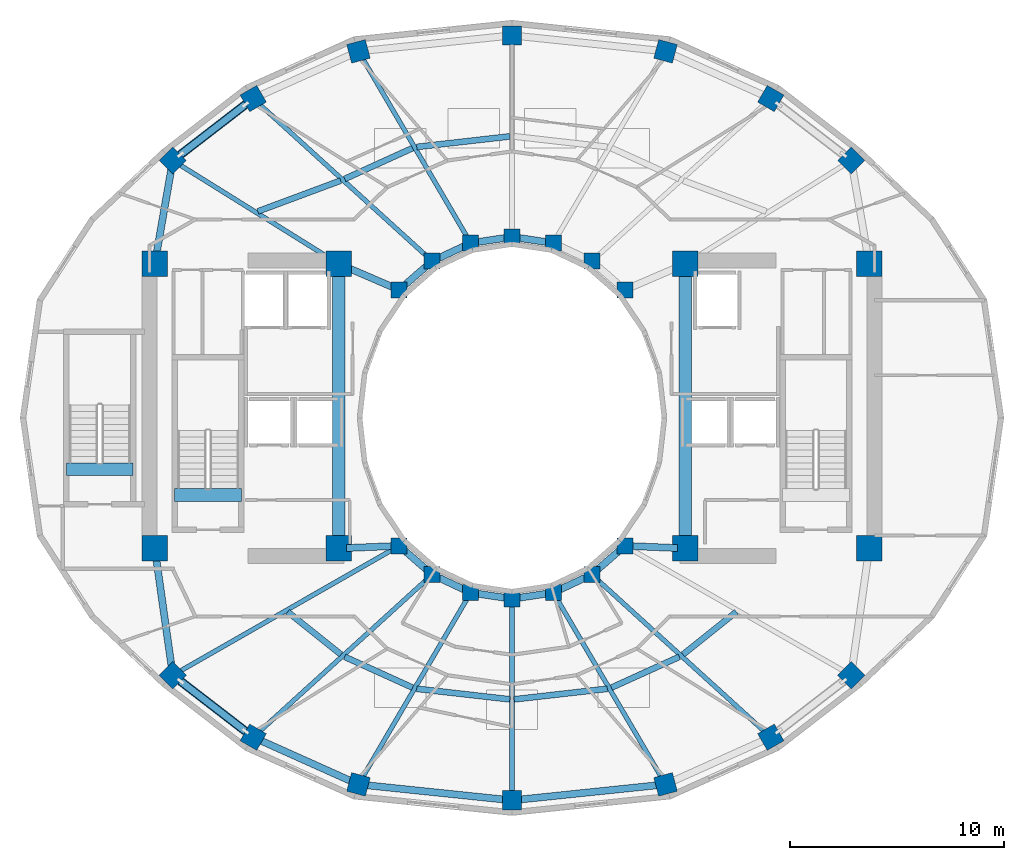
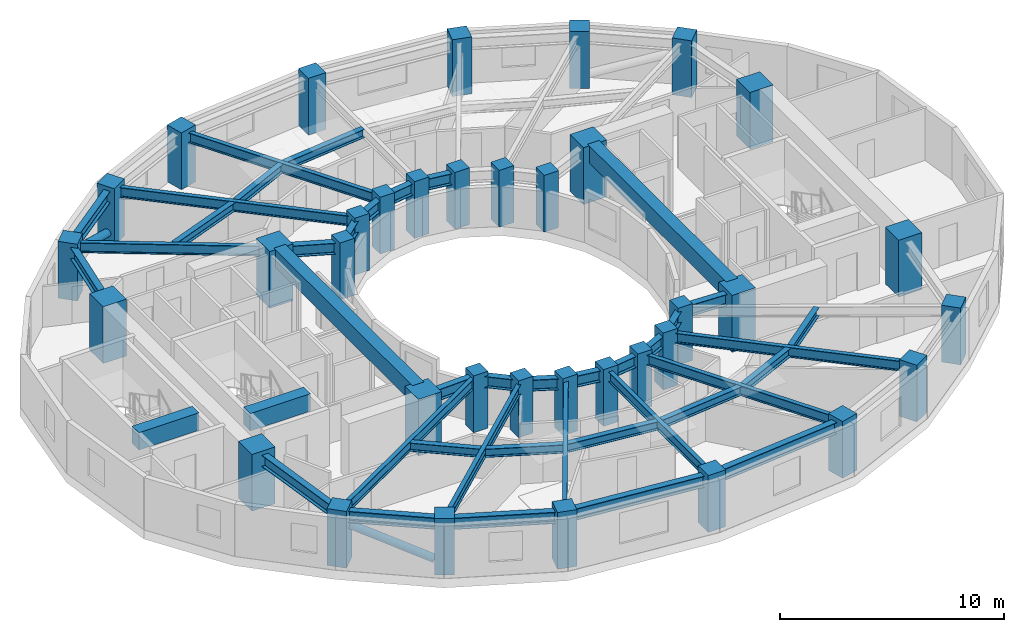
# One storey, part 1 of 9: 42 beams, 36 columns, 2 members.
"""IFC4 building model written with IfcOpenShell, lengths in metres."""

import ifcopenshell
import ifcopenshell.guid

model = None  # the IFC model being written
_history = None  # IfcOwnerHistory: only IFC2X3 demands one
_inside = {}  # id of a spatial element -> (the spatial element, [elements in it])
_under = {}  # id of a project, library or spatial element -> (it, [spatial elements below it])
_declared = {}  # id of a project -> (the project, [libraries it declares])
_typed = {}  # id of a type object -> (the type object, [elements of that type])
_made_of = {}  # id of a material, layer set ... -> (it, [elements and type objects made of it])


def new_model(schema):
    """Start an empty IFC model of exactly this schema.

    Asked for "IFC4X3", IfcOpenShell would pick the latest addendum, in which some entities
    have other attributes; the version numbers below select the first issue.
    IFC2X3 requires an IfcOwnerHistory on every rooted entity: one is made here for all.
    """
    global model, _history
    if schema == "IFC4X3":
        model = ifcopenshell.file(schema_version=(4, 3, 0, 0))
    else:
        model = ifcopenshell.file(schema=schema)
    _inside.clear()
    _under.clear()
    _declared.clear()
    _typed.clear()
    _made_of.clear()
    _history = None
    if model.schema == "IFC2X3":
        org = make("IfcOrganization", Name="unknown")
        user = make(
            "IfcPersonAndOrganization",
            ThePerson=make("IfcPerson", FamilyName="unknown"),
            TheOrganization=org,
        )
        app = make(
            "IfcApplication",
            ApplicationDeveloper=org,
            Version="unknown",
            ApplicationFullName="unknown",
            ApplicationIdentifier="unknown",
        )
        _history = make(
            "IfcOwnerHistory",
            OwningUser=user,
            OwningApplication=app,
            ChangeAction="ADDED",
            CreationDate=0,
        )
    return model


def make(cls, **values):
    """One entity of the class cls with the attributes given. An attribute that is None is left unset."""
    return model.create_entity(
        cls, **{name: value for name, value in values.items() if value is not None}
    )


def rooted(cls, **values):
    """An entity with a GlobalId (a new one), such as an element, a storey or a relation."""
    return make(cls, GlobalId=ifcopenshell.guid.new(), OwnerHistory=_history, **values)


def si_unit(unit_type, name, prefix=None):
    """IfcSIUnit, for example si_unit("LENGTHUNIT", "METRE", prefix="MILLI")."""
    return make("IfcSIUnit", UnitType=unit_type, Prefix=prefix, Name=name)


def assignment(units):
    """IfcUnitAssignment: the units of a project."""
    return None if units is None else make("IfcUnitAssignment", Units=units)


def point(xyz):
    """IfcCartesianPoint."""
    return None if xyz is None else make("IfcCartesianPoint", Coordinates=xyz)


def direction(xyz):
    """IfcDirection."""
    return None if xyz is None else make("IfcDirection", DirectionRatios=xyz)


def frame(location, z_axis=None, x_axis=None):
    """IfcAxis2Placement3D, a coordinate frame: its origin and axes. An axis left out is left unset."""
    return make(
        "IfcAxis2Placement3D",
        Location=point(location),
        Axis=direction(z_axis),
        RefDirection=direction(x_axis),
    )


def frame_2d(location, x_axis=None):
    """IfcAxis2Placement2D, a coordinate frame in the plane: its origin and x axis."""
    return make(
        "IfcAxis2Placement2D", Location=point(location), RefDirection=direction(x_axis)
    )


def origin():
    """The frame at (0, 0, 0) with its axes left unset."""
    return frame((0.0, 0.0, 0.0))


def origin_2d():
    """The frame at (0, 0) in the plane with its x axis left unset."""
    return frame_2d((0.0, 0.0))


def place(relative_to, where):
    """IfcLocalPlacement: puts the frame where relative to a parent placement (None: the world)."""
    return make(
        "IfcLocalPlacement", PlacementRelTo=relative_to, RelativePlacement=where
    )


def context(
    kind, dimensions, precision=None, world=None, true_north=None, identifier=None
):
    """IfcGeometricRepresentationContext, for example the 3D "Model" context."""
    return make(
        "IfcGeometricRepresentationContext",
        ContextIdentifier=identifier,
        ContextType=kind,
        CoordinateSpaceDimension=dimensions,
        Precision=precision,
        WorldCoordinateSystem=world,
        TrueNorth=true_north,
    )


def subcontext(parent, identifier, kind, view, scale=None):
    """IfcGeometricRepresentationSubContext, for example "Body" below "Model"."""
    return make(
        "IfcGeometricRepresentationSubContext",
        ContextIdentifier=identifier,
        ContextType=kind,
        ParentContext=parent,
        TargetScale=scale,
        TargetView=view,
    )


def project(units=None, contexts=None):
    """IfcProject with its units and contexts."""
    return rooted(
        "IfcProject",
        Name="project",
        RepresentationContexts=contexts,
        UnitsInContext=assignment(units),
    )


def spatial(cls, under=None, at=None, **own):
    """A site, building, storey or space (cls), placed at a placement, below another one or the project."""
    s = rooted(cls, ObjectPlacement=at, **own)
    if under is not None:
        _under.setdefault(under.id(), (under, []))[1].append(s)
    return s


def profile(cls, at=None, kind="AREA", **sizes):
    """A parametric profile (cls). Its sizes go by their IFC names, for example OverallWidth=200.0."""
    return make(cls, ProfileType=kind, Position=at, **sizes)


def rectangle(**sizes):
    """IfcRectangleProfileDef."""
    return profile("IfcRectangleProfileDef", **sizes)


def hollow_circle(**sizes):
    """IfcCircleHollowProfileDef."""
    return profile("IfcCircleHollowProfileDef", **sizes)


def i_section(**sizes):
    """IfcIShapeProfileDef."""
    return profile("IfcIShapeProfileDef", **sizes)


def extrude(swept, where, along, depth):
    """IfcExtrudedAreaSolid: the profile swept, set in the frame where, extruded along a direction by depth."""
    return make(
        "IfcExtrudedAreaSolid",
        SweptArea=swept,
        Position=where,
        ExtrudedDirection=direction(along),
        Depth=depth,
    )


def shape(context_of_items, identifier, shape_type, items):
    """IfcShapeRepresentation: the items that make up one representation, for example the "Body"."""
    return make(
        "IfcShapeRepresentation",
        ContextOfItems=context_of_items,
        RepresentationIdentifier=identifier,
        RepresentationType=shape_type,
        Items=items,
    )


def material(Name=None, Category=None):
    """IfcMaterial."""
    return make("IfcMaterial", Name=Name, Category=Category)


def material_profile(
    of_material, cross_section, Name=None, Category=None, Priority=None
):
    """IfcMaterialProfile: a cross section and its material."""
    return make(
        "IfcMaterialProfile",
        Name=Name,
        Material=of_material,
        Profile=cross_section,
        Priority=Priority,
        Category=Category,
    )


def profile_set(profiles, Name=None, composite=None):
    """IfcMaterialProfileSet."""
    return make(
        "IfcMaterialProfileSet",
        Name=Name,
        MaterialProfiles=profiles,
        CompositeProfile=composite,
    )


def made_of(thing, what):
    """Note that an element or type object is made of a material, layer set ...; save() writes the relation."""
    if what is not None:
        _made_of.setdefault(what.id(), (what, []))[1].append(thing)
    return thing


def type_object(cls, material=None, **own):
    """A type object (cls), such as IfcWallType, which elements share."""
    return made_of(rooted(cls, **own), material)


def element(
    cls,
    number,
    at=None,
    inside=None,
    cuts=None,
    type_object=None,
    material=None,
    context=None,
    identifier="Body",
    shape_type=None,
    held_by="IfcProductDefinitionShape",
    body=None,
    shapes=None,
    **own,
):
    """One element of the class cls, such as IfcWall. Its Tag is "e" and its number.

    at: its placement. inside: the storey or other place that contains it. cuts: it is an
    opening in that element (IfcRelVoidsElement). A single representation is given by context,
    identifier, shape_type and body (its items); several are given by shapes. held_by: the class
    of the entity that holds the representations. save() writes the other relations.
    """
    e = rooted(cls, Tag="e%d" % number, ObjectPlacement=at, **own)
    if body is not None:
        shapes = [shape(context, identifier, shape_type, body)]
    if shapes is not None:
        e.Representation = make(held_by, Representations=shapes)
    if inside is not None:
        _inside.setdefault(inside.id(), (inside, []))[1].append(e)
    if cuts is not None:
        rooted(
            "IfcRelVoidsElement", RelatingBuildingElement=cuts, RelatedOpeningElement=e
        )
    if type_object is not None:
        _typed.setdefault(type_object.id(), (type_object, []))[1].append(e)
    return made_of(e, material)


def aggregate(whole, parts):
    """IfcRelAggregates: a whole, such as a stair, and the parts it consists of."""
    return rooted("IfcRelAggregates", RelatingObject=whole, RelatedObjects=parts)


def save(model, path):
    """Write the relations noted so far, then the file.

    IfcRelAggregates (storeys below a building ...), IfcRelContainedInSpatialStructure (elements
    in a storey), IfcRelDefinesByType, IfcRelAssociatesMaterial and IfcRelDeclares: one each for
    every whole, place, type object, material and project.
    """
    for whole, parts in _under.values():
        aggregate(whole, parts)
    for where, things in _inside.values():
        rooted(
            "IfcRelContainedInSpatialStructure",
            RelatedElements=things,
            RelatingStructure=where,
        )
    for kind, things in _typed.values():
        rooted("IfcRelDefinesByType", RelatedObjects=things, RelatingType=kind)
    for what, things in _made_of.values():
        rooted("IfcRelAssociatesMaterial", RelatedObjects=things, RelatingMaterial=what)
    for by, libraries in _declared.values():
        rooted("IfcRelDeclares", RelatingContext=by, RelatedDefinitions=libraries)
    model.write(path)


model = new_model("IFC4")

# Units and contexts
model_context = context("Model", 3, precision=1e-05, world=origin(), true_north=direction((0.0, 1.0)))
body_context = subcontext(model_context, "Body", "Model", "MODEL_VIEW")
ifc_project = project(units=[si_unit("LENGTHUNIT", "METRE"), si_unit("AREAUNIT", "SQUARE_METRE"), si_unit("VOLUMEUNIT", "CUBIC_METRE"), si_unit("PLANEANGLEUNIT", "RADIAN"), si_unit("MASSUNIT", "GRAM", prefix="KILO")], contexts=[model_context])

# Site, building, storey
site_placement = place(None, origin())
site = spatial("IfcSite", under=ifc_project, at=site_placement, CompositionType="ELEMENT")
building_placement = place(site_placement, origin())
building = spatial("IfcBuilding", under=site, at=building_placement, Name="Solvane Sanctuary Tower", CompositionType="ELEMENT")
storey_placement = place(building_placement, frame((0.0, 0.0, 143.60009765625)))
storey = spatial("IfcBuildingStorey", under=building, at=storey_placement, Name="L43", CompositionType="ELEMENT", Elevation=143.60009765625)

# Columns
ifc_material_1 = material(Name="Concrete C50/60", Category="concrete")
ifc_material_profile_1 = material_profile(ifc_material_1, rectangle(XDim=0.75, YDim=0.75, at=origin_2d()), Name="RC750X750")
ifc_profile_set_1 = profile_set([ifc_material_profile_1], Name="Concrete C50/60")
column_type_1 = type_object("IfcColumnType", Name="Column C-RING-Z3 RC750X750", PredefinedType="COLUMN", material=ifc_profile_set_1)
for number, where, z_axis, x_axis, name in (
    (1, (37.27490234375, 28.982177734375, 0.0), (0.0, 0.0, 1.0), (1.0, 0.0, 0.0), "L43 Inner Light-Well Ring Column IC01"),
    (2, (35.72998046875, 30.32666015625, 0.0), (0.0, 0.0, 1.0), (1.0, 0.0, 0.0), "L43 Inner Light-Well Ring Column IC02"),
    (3, (33.930908203125, 31.171630859375, 0.0), (0.0, 0.0, 1.0), (1.0, 0.0, 0.0), "L43 Inner Light-Well Ring Column IC03"),
    (4, (32.0, 31.4599609375, 0.0), (0.0, 0.0, 1.0), (1.0, 0.0, 0.0), "L43 Inner Light-Well Ring Column IC04"),
    (5, (30.069091796875, 31.171630859375, 0.0), (0.0, 0.0, 1.0), (1.0, 0.0, 0.0), "L43 Inner Light-Well Ring Column IC05"),
    (6, (28.27001953125, 30.32666015625, 0.0), (0.0, 0.0, 1.0), (1.0, 0.0, 0.0), "L43 Inner Light-Well Ring Column IC06"),
    (7, (26.72509765625, 28.982177734375, 0.0), (0.0, 0.0, 1.0), (1.0, 0.0, 0.0), "L43 Inner Light-Well Ring Column IC07"),
    (8, (26.72509765625, 17.017822265625, 0.0), (0.0, 0.0, 1.0), (1.0, 0.0, 0.0), "L43 Inner Light-Well Ring Column IC08"),
    (9, (28.27001953125, 15.67333984375, 0.0), (0.0, 0.0, 1.0), (1.0, 0.0, 0.0), "L43 Inner Light-Well Ring Column IC09"),
    (10, (30.069091796875, 14.828369140625, 0.0), (0.0, 0.0, 1.0), (1.0, 0.0, 0.0), "L43 Inner Light-Well Ring Column IC10"),
    (11, (32.0, 14.5400390625, 0.0), (0.0, 0.0, 1.0), (1.0, 0.0, 0.0), "L43 Inner Light-Well Ring Column IC11"),
    (12, (33.930908203125, 14.828369140625, 0.0), (0.0, 0.0, 1.0), (1.0, 0.0, 0.0), "L43 Inner Light-Well Ring Column IC12"),
    (13, (35.72998046875, 15.67333984375, 0.0), (0.0, 0.0, 1.0), (1.0, 0.0, 0.0), "L43 Inner Light-Well Ring Column IC13"),
    (14, (37.27490234375, 17.017822265625, 0.0), (0.0, 0.0, 1.0), (1.0, 0.0, 0.0), "L43 Inner Light-Well Ring Column IC14"),
):
    element("IfcColumn", number, at=place(storey_placement, frame(where, z_axis=z_axis, x_axis=x_axis)), inside=storey, type_object=column_type_1, Name=name, PredefinedType="COLUMN", context=body_context, shape_type="SweptSolid", body=[
        extrude(rectangle(XDim=0.75, YDim=0.75, at=origin_2d()), origin(), (0.0, 0.0, 1.0), 3.099853515625),
    ])
ifc_material_2 = material(Name="Concrete C70/85", Category="concrete")
ifc_material_profile_2 = material_profile(ifc_material_2, rectangle(XDim=1.199951171875, YDim=1.199951171875, at=origin_2d()), Name="RC1200X1200")
ifc_profile_set_2 = profile_set([ifc_material_profile_2], Name="Concrete C70/85")
column_type_2 = type_object("IfcColumnType", Name="Column C-TUBE-Z1 RC1200X1200", PredefinedType="COLUMN", material=ifc_profile_set_2)
for number, where, z_axis, x_axis, name in (
    (15, (15.300048828125, 16.89990234375, 0.0), (0.0, 0.0, 1.0), (1.0, 0.0, 0.0), "L43 Core Corner Column CW1"),
    (16, (23.89990234375, 16.89990234375, 0.0), (0.0, 0.0, 1.0), (1.0, 0.0, 0.0), "L43 Core Corner Column CW2"),
    (17, (23.89990234375, 30.199951171875, 0.0), (0.0, 0.0, 1.0), (1.0, 0.0, 0.0), "L43 Core Corner Column CW3"),
    (18, (15.300048828125, 30.199951171875, 0.0), (0.0, 0.0, 1.0), (1.0, 0.0, 0.0), "L43 Core Corner Column CW4"),
    (19, (40.10009765625, 16.89990234375, 0.0), (0.0, 0.0, 1.0), (1.0, 0.0, 0.0), "L43 Core Corner Column CE1"),
    (20, (48.699951171875, 16.89990234375, 0.0), (0.0, 0.0, 1.0), (1.0, 0.0, 0.0), "L43 Core Corner Column CE2"),
    (21, (48.699951171875, 30.199951171875, 0.0), (0.0, 0.0, 1.0), (1.0, 0.0, 0.0), "L43 Core Corner Column CE3"),
    (22, (40.10009765625, 30.199951171875, 0.0), (0.0, 0.0, 1.0), (1.0, 0.0, 0.0), "L43 Core Corner Column CE4"),
):
    element("IfcColumn", number, at=place(storey_placement, frame(where, z_axis=z_axis, x_axis=x_axis)), inside=storey, type_object=column_type_2, Name=name, PredefinedType="COLUMN", context=body_context, shape_type="SweptSolid", body=[
        extrude(rectangle(XDim=1.199951171875, YDim=1.199951171875, at=origin_2d()), origin(), (0.0, 0.0, 1.0), 3.099853515625),
    ])
ifc_material_3 = material(Name="Concrete C60/75", Category="concrete")
ifc_material_profile_3 = material_profile(ifc_material_3, rectangle(XDim=0.89990234375, YDim=0.89990234375, at=origin_2d()), Name="RC900X900")
ifc_profile_set_3 = profile_set([ifc_material_profile_3], Name="Concrete C60/75")
column_type_3 = type_object("IfcColumnType", Name="Column C-TUBE-Z3 RC900X900", PredefinedType="COLUMN", material=ifc_profile_set_3)
for number, where, z_axis, x_axis, name in (
    (23, (47.856689453125, 35.031005859375, 0.0), (0.0, 0.0, 1.0), (0.707106781187, 0.707106781187, 0.0), "L43 Perimeter Tube Column TC01"),
    (24, (44.09814453125, 37.927978515625, 0.0), (0.0, 0.0, 1.0), (0.5, 0.866025403784, 0.0), "L43 Perimeter Tube Column TC02"),
    (25, (39.17822265625, 40.134521484375, 0.0), (0.0, 0.0, 1.0), (0.258819045103, 0.965925826289, 0.0), "L43 Perimeter Tube Column TC03"),
    (26, (32.0, 40.8798828125, 0.0), (0.0, 0.0, 1.0), (0.0, 1.0, 0.0), "L43 Perimeter Tube Column TC04"),
    (27, (24.82177734375, 40.134521484375, 0.0), (0.0, 0.0, 1.0), (-0.258819045103, 0.965925826289, 0.0), "L43 Perimeter Tube Column TC05"),
    (28, (19.90185546875, 37.927978515625, 0.0), (0.0, 0.0, 1.0), (-0.5, 0.866025403784, 0.0), "L43 Perimeter Tube Column TC06"),
    (29, (16.143310546875, 35.031005859375, 0.0), (0.0, 0.0, 1.0), (-0.707106781187, 0.707106781187, 0.0), "L43 Perimeter Tube Column TC07"),
    (30, (16.143310546875, 10.968994140625, 0.0), (0.0, 0.0, 1.0), (-0.707106781187, -0.707106781187, 0.0), "L43 Perimeter Tube Column TC08"),
    (31, (19.90185546875, 8.072021484375, 0.0), (0.0, 0.0, 1.0), (-0.5, -0.866025403784, 0.0), "L43 Perimeter Tube Column TC09"),
    (32, (24.82177734375, 5.865478515625, 0.0), (0.0, 0.0, 1.0), (-0.258819045103, -0.965925826289, 0.0), "L43 Perimeter Tube Column TC10"),
    (33, (32.0, 5.1201171875, 0.0), (0.0, 0.0, 1.0), (0.0, -1.0, 0.0), "L43 Perimeter Tube Column TC11"),
    (34, (39.17822265625, 5.865478515625, 0.0), (0.0, 0.0, 1.0), (0.258819045103, -0.965925826289, 0.0), "L43 Perimeter Tube Column TC12"),
    (35, (44.09814453125, 8.072021484375, 0.0), (0.0, 0.0, 1.0), (0.5, -0.866025403784, 0.0), "L43 Perimeter Tube Column TC13"),
    (36, (47.856689453125, 10.968994140625, 0.0), (0.0, 0.0, 1.0), (0.707106781187, -0.707106781187, 0.0), "L43 Perimeter Tube Column TC14"),
):
    element("IfcColumn", number, at=place(storey_placement, frame(where, z_axis=z_axis, x_axis=x_axis)), inside=storey, type_object=column_type_3, Name=name, PredefinedType="COLUMN", context=body_context, shape_type="SweptSolid", body=[
        extrude(rectangle(XDim=0.89990234375, YDim=0.89990234375, at=origin_2d()), origin(), (0.0, 0.0, 1.0), 3.099853515625),
    ])

# Beams
ifc_material_profile_4 = material_profile(ifc_material_2, rectangle(XDim=0.60009765625, YDim=0.949951171875, at=origin_2d()), Name="RC600X950")
ifc_profile_set_4 = profile_set([ifc_material_profile_4], Name="Concrete C70/85")
beam_type_1 = type_object("IfcBeamType", Name="Beam B-COUPLE RC600X950", PredefinedType="LINTEL", material=ifc_profile_set_4)
for number, where, z_axis, x_axis, name in (
    (37, (23.89990234375, 17.35009765625, 2.625), (0.0, 1.0, 0.0), (-1.0, 0.0, 0.0), "L43 West Core Coupling Lintel"),
    (38, (40.10009765625, 17.35009765625, 2.625), (0.0, 1.0, 0.0), (-1.0, 0.0, 0.0), "L43 East Core Coupling Lintel"),
):
    element("IfcBeam", number, at=place(storey_placement, frame(where, z_axis=z_axis, x_axis=x_axis)), inside=storey, type_object=beam_type_1, Name=name, PredefinedType="LINTEL", context=body_context, shape_type="SweptSolid", body=[
        extrude(rectangle(XDim=0.60009765625, YDim=0.949951171875, at=origin_2d()), origin(), (0.0, 0.0, 1.0), 12.39990234375),
    ])
for number, where, z_axis, x_axis, name in (
    (39, (16.22998046875, 19.399169921875, 2.625), (1.0, 0.0, 0.0), (0.0, 1.0, 0.0), "L43 ST-1 Stair Floor Landing Trimmer"),
    (40, (11.169921875, 20.59912109375, 2.625), (1.0, 0.0, 0.0), (0.0, 1.0, 0.0), "L43 ST-3 Stair Floor Landing Trimmer"),
):
    element("IfcBeam", number, at=place(storey_placement, frame(where, z_axis=z_axis, x_axis=x_axis)), inside=storey, type_object=beam_type_1, Name=name, PredefinedType="LINTEL", context=body_context, shape_type="SweptSolid", body=[
        extrude(rectangle(XDim=0.60009765625, YDim=0.949951171875, at=origin_2d()), origin(), (0.0, 0.0, 1.0), 3.1201171875),
    ])
ifc_material_4 = material(Name="Steel ASTM A992 Grade 50", Category="steel")
ifc_material_profile_5 = material_profile(ifc_material_4, i_section(OverallWidth=0.214111328125, OverallDepth=0.549072265625, WebThickness=0.0146484375, FlangeThickness=0.023681640625, FilletRadius=0.014892578125, at=origin_2d()), Name="W21X93")
ifc_profile_set_5 = profile_set([ifc_material_profile_5], Name="Steel ASTM A992 Grade 50")
beam_type_2 = type_object("IfcBeamType", Name="Beam B-RAD-Z3 W21X93", PredefinedType="JOIST", material=ifc_profile_set_5)
beam_1_placement = place(storey_placement, frame((29.927734375, 31.413330078125, 2.603515625), z_axis=(-0.505243742555, 0.862976686017, 0.0), x_axis=(-0.862976686017, -0.505243742555, 0.0)))
element("IfcBeam", 41, at=beam_1_placement, inside=storey, type_object=beam_type_2, Name="L43 Radial Composite Floor Beam 05", PredefinedType="JOIST", context=body_context, shape_type="SweptSolid", body=[
    extrude(i_section(OverallWidth=0.214111328125, OverallDepth=0.549072265625, WebThickness=0.0146484375, FlangeThickness=0.023681640625, FilletRadius=0.014892578125, at=origin_2d()), origin(), (0.0, 0.0, 1.0), 9.826171875),
])
beam_2_placement = place(storey_placement, frame((28.062744140625, 30.514892578125, 2.603515625), z_axis=(-0.74020423772, 0.672382098558, 0.0), x_axis=(-0.672382098558, -0.74020423772, 0.0)))
element("IfcBeam", 42, at=beam_2_placement, inside=storey, type_object=beam_type_2, Name="L43 Radial Composite Floor Beam 06", PredefinedType="JOIST", context=body_context, shape_type="SweptSolid", body=[
    extrude(i_section(OverallWidth=0.214111328125, OverallDepth=0.549072265625, WebThickness=0.0146484375, FlangeThickness=0.023681640625, FilletRadius=0.014892578125, at=origin_2d()), origin(), (0.0, 0.0, 1.0), 10.7451171875),
])
beam_3_placement = place(storey_placement, frame((23.594482421875, 30.390380859375, 2.603515625), z_axis=(-0.84882685523, 0.528670946658, 0.0), x_axis=(-0.528670946658, -0.84882685523, 0.0)))
element("IfcBeam", 43, at=beam_3_placement, inside=storey, type_object=beam_type_2, Name="L43 Radial Composite Floor Beam 07", PredefinedType="JOIST", context=body_context, shape_type="SweptSolid", body=[
    extrude(i_section(OverallWidth=0.214111328125, OverallDepth=0.549072265625, WebThickness=0.0146484375, FlangeThickness=0.023681640625, FilletRadius=0.014892578125, at=origin_2d()), origin(), (0.0, 0.0, 1.0), 8.498046875),
])
beam_4_placement = place(storey_placement, frame((26.48193359375, 16.87890625, 2.603515625), z_axis=(-0.86816302692, -0.496279113694, 0.0), x_axis=(0.496279113694, -0.86816302692, 0.0)))
element("IfcBeam", 44, at=beam_4_placement, inside=storey, type_object=beam_type_2, Name="L43 Radial Composite Floor Beam 08", PredefinedType="JOIST", context=body_context, shape_type="SweptSolid", body=[
    extrude(i_section(OverallWidth=0.214111328125, OverallDepth=0.549072265625, WebThickness=0.0146484375, FlangeThickness=0.023681640625, FilletRadius=0.014892578125, at=origin_2d()), origin(), (0.0, 0.0, 1.0), 11.62841796875),
])
beam_5_placement = place(storey_placement, frame((28.062744140625, 15.485107421875, 2.603515625), z_axis=(-0.74020423772, -0.672382098558, 0.0), x_axis=(0.672382098558, -0.74020423772, 0.0)))
element("IfcBeam", 45, at=beam_5_placement, inside=storey, type_object=beam_type_2, Name="L43 Radial Composite Floor Beam 09", PredefinedType="JOIST", context=body_context, shape_type="SweptSolid", body=[
    extrude(i_section(OverallWidth=0.214111328125, OverallDepth=0.549072265625, WebThickness=0.0146484375, FlangeThickness=0.023681640625, FilletRadius=0.014892578125, at=origin_2d()), origin(), (0.0, 0.0, 1.0), 10.7451171875),
])
beam_6_placement = place(storey_placement, frame((29.927734375, 14.586669921875, 2.603515625), z_axis=(-0.505243742555, -0.862976686017, 0.0), x_axis=(0.862976686017, -0.505243742555, 0.0)))
element("IfcBeam", 46, at=beam_6_placement, inside=storey, type_object=beam_type_2, Name="L43 Radial Composite Floor Beam 10", PredefinedType="JOIST", context=body_context, shape_type="SweptSolid", body=[
    extrude(i_section(OverallWidth=0.214111328125, OverallDepth=0.549072265625, WebThickness=0.0146484375, FlangeThickness=0.023681640625, FilletRadius=0.014892578125, at=origin_2d()), origin(), (0.0, 0.0, 1.0), 9.826171875),
])
beam_7_placement = place(storey_placement, frame((32.0, 14.260009765625, 2.603515625), z_axis=(0.0, -1.0, 0.0), x_axis=(1.0, 0.0, 0.0)))
element("IfcBeam", 47, at=beam_7_placement, inside=storey, type_object=beam_type_2, Name="L43 Radial Composite Floor Beam 11", PredefinedType="JOIST", context=body_context, shape_type="SweptSolid", body=[
    extrude(i_section(OverallWidth=0.214111328125, OverallDepth=0.549072265625, WebThickness=0.0146484375, FlangeThickness=0.023681640625, FilletRadius=0.014892578125, at=origin_2d()), origin(), (0.0, 0.0, 1.0), 8.860107421875),
])
beam_8_placement = place(storey_placement, frame((34.072265625, 14.586669921875, 2.603515625), z_axis=(0.505243742555, -0.862976686017, 0.0), x_axis=(0.862976686017, 0.505243742555, 0.0)))
element("IfcBeam", 48, at=beam_8_placement, inside=storey, type_object=beam_type_2, Name="L43 Radial Composite Floor Beam 12", PredefinedType="JOIST", context=body_context, shape_type="SweptSolid", body=[
    extrude(i_section(OverallWidth=0.214111328125, OverallDepth=0.549072265625, WebThickness=0.0146484375, FlangeThickness=0.023681640625, FilletRadius=0.014892578125, at=origin_2d()), origin(), (0.0, 0.0, 1.0), 9.826171875),
])
beam_9_placement = place(storey_placement, frame((35.937255859375, 15.485107421875, 2.603515625), z_axis=(0.74020423772, -0.672382098558, 0.0), x_axis=(0.672382098558, 0.74020423772, 0.0)))
element("IfcBeam", 49, at=beam_9_placement, inside=storey, type_object=beam_type_2, Name="L43 Radial Composite Floor Beam 13", PredefinedType="JOIST", context=body_context, shape_type="SweptSolid", body=[
    extrude(i_section(OverallWidth=0.214111328125, OverallDepth=0.549072265625, WebThickness=0.0146484375, FlangeThickness=0.023681640625, FilletRadius=0.014892578125, at=origin_2d()), origin(), (0.0, 0.0, 1.0), 10.7451171875),
])
ifc_material_profile_6 = material_profile(ifc_material_4, i_section(OverallWidth=0.324951171875, OverallDepth=0.615966796875, WebThickness=0.013916015625, FlangeThickness=0.021484375, FilletRadius=0.01611328125, at=origin_2d()), Name="W24X117")
ifc_profile_set_6 = profile_set([ifc_material_profile_6], Name="Steel ASTM A992 Grade 50")
beam_type_3 = type_object("IfcBeamType", Name="Beam B-RING-IN2 W24X117", PredefinedType="BEAM", material=ifc_profile_set_6)
beam_10_placement = place(storey_placement, frame((24.230712890625, 30.0576171875, 2.56982421875), z_axis=(0.918264067649, -0.395968561966, 0.0), x_axis=(0.395968561966, 0.918264067649, 0.0)))
element("IfcBeam", 50, at=beam_10_placement, inside=storey, type_object=beam_type_3, Name="L43 Inner Light-Well Ring Beam CW3-IC07", PredefinedType="BEAM", context=body_context, shape_type="SweptSolid", body=[
    extrude(i_section(OverallWidth=0.324951171875, OverallDepth=0.615966796875, WebThickness=0.013916015625, FlangeThickness=0.021484375, FilletRadius=0.01611328125, at=origin_2d()), origin(), (0.0, 0.0, 1.0), 2.371337890625),
])
beam_11_placement = place(storey_placement, frame((26.9853515625, 29.20849609375, 2.56982421875), z_axis=(0.754311313851, 0.656516901379, 0.0), x_axis=(-0.656516901379, 0.754311313851, 0.0)))
element("IfcBeam", 51, at=beam_11_placement, inside=storey, type_object=beam_type_3, Name="L43 Inner Light-Well Ring Beam IC07-IC06", PredefinedType="BEAM", context=body_context, shape_type="SweptSolid", body=[
    extrude(i_section(OverallWidth=0.324951171875, OverallDepth=0.615966796875, WebThickness=0.013916015625, FlangeThickness=0.021484375, FilletRadius=0.01611328125, at=origin_2d()), origin(), (0.0, 0.0, 1.0), 1.358154296875),
])
beam_12_placement = place(storey_placement, frame((28.582275390625, 30.473388671875, 2.56982421875), z_axis=(0.9051808128, 0.425026700502, 0.0), x_axis=(-0.425026700502, 0.9051808128, 0.0)))
element("IfcBeam", 52, at=beam_12_placement, inside=storey, type_object=beam_type_3, Name="L43 Inner Light-Well Ring Beam IC06-IC05", PredefinedType="BEAM", context=body_context, shape_type="SweptSolid", body=[
    extrude(i_section(OverallWidth=0.324951171875, OverallDepth=0.615966796875, WebThickness=0.013916015625, FlangeThickness=0.021484375, FilletRadius=0.01611328125, at=origin_2d()), origin(), (0.0, 0.0, 1.0), 1.297607421875),
])
for number, where, z_axis, x_axis, name in (
    (53, (30.410400390625, 31.22265625, 2.56982421875), (0.989019905763, 0.147782360259, 0.0), (-0.147782360259, 0.989019905763, 0.0), "L43 Inner Light-Well Ring Beam IC05-IC04"),
    (54, (32.34130859375, 31.4091796875, 2.56982421875), (0.989019905763, -0.147782360259, 0.0), (0.147782360259, 0.989019905763, 0.0), "L43 Inner Light-Well Ring Beam IC04-IC03"),
):
    element("IfcBeam", number, at=place(storey_placement, frame(where, z_axis=z_axis, x_axis=x_axis)), inside=storey, type_object=beam_type_3, Name=name, PredefinedType="BEAM", context=body_context, shape_type="SweptSolid", body=[
        extrude(i_section(OverallWidth=0.324951171875, OverallDepth=0.615966796875, WebThickness=0.013916015625, FlangeThickness=0.021484375, FilletRadius=0.01611328125, at=origin_2d()), origin(), (0.0, 0.0, 1.0), 1.26220703125),
    ])
beam_13_placement = place(storey_placement, frame((24.259765625, 16.9150390625, 2.56982421875), z_axis=(0.999132674336, 0.041640113759, 0.0), x_axis=(-0.041640113759, 0.999132674336, 0.0)))
element("IfcBeam", 55, at=beam_13_placement, inside=storey, type_object=beam_type_3, Name="L43 Inner Light-Well Ring Beam CW2-IC08", PredefinedType="BEAM", context=body_context, shape_type="SweptSolid", body=[
    extrude(i_section(OverallWidth=0.324951171875, OverallDepth=0.615966796875, WebThickness=0.013916015625, FlangeThickness=0.021484375, FilletRadius=0.01611328125, at=origin_2d()), origin(), (0.0, 0.0, 1.0), 2.12255859375),
])
beam_14_placement = place(storey_placement, frame((26.9853515625, 16.79150390625, 2.56982421875), z_axis=(0.754311313851, -0.656516901379, 0.0), x_axis=(0.656516901379, 0.754311313851, 0.0)))
element("IfcBeam", 56, at=beam_14_placement, inside=storey, type_object=beam_type_3, Name="L43 Inner Light-Well Ring Beam IC08-IC09", PredefinedType="BEAM", context=body_context, shape_type="SweptSolid", body=[
    extrude(i_section(OverallWidth=0.324951171875, OverallDepth=0.615966796875, WebThickness=0.013916015625, FlangeThickness=0.021484375, FilletRadius=0.01611328125, at=origin_2d()), origin(), (0.0, 0.0, 1.0), 1.358154296875),
])
beam_15_placement = place(storey_placement, frame((28.582275390625, 15.526611328125, 2.56982421875), z_axis=(0.9051808128, -0.425026700502, 0.0), x_axis=(0.425026700502, 0.9051808128, 0.0)))
element("IfcBeam", 57, at=beam_15_placement, inside=storey, type_object=beam_type_3, Name="L43 Inner Light-Well Ring Beam IC09-IC10", PredefinedType="BEAM", context=body_context, shape_type="SweptSolid", body=[
    extrude(i_section(OverallWidth=0.324951171875, OverallDepth=0.615966796875, WebThickness=0.013916015625, FlangeThickness=0.021484375, FilletRadius=0.01611328125, at=origin_2d()), origin(), (0.0, 0.0, 1.0), 1.297607421875),
])
for number, where, z_axis, x_axis, name in (
    (58, (30.410400390625, 14.77734375, 2.56982421875), (0.989019905763, -0.147782360259, 0.0), (0.147782360259, 0.989019905763, 0.0), "L43 Inner Light-Well Ring Beam IC10-IC11"),
    (59, (32.34130859375, 14.5908203125, 2.56982421875), (0.989019905763, 0.147782360259, 0.0), (-0.147782360259, 0.989019905763, 0.0), "L43 Inner Light-Well Ring Beam IC11-IC12"),
):
    element("IfcBeam", number, at=place(storey_placement, frame(where, z_axis=z_axis, x_axis=x_axis)), inside=storey, type_object=beam_type_3, Name=name, PredefinedType="BEAM", context=body_context, shape_type="SweptSolid", body=[
        extrude(i_section(OverallWidth=0.324951171875, OverallDepth=0.615966796875, WebThickness=0.013916015625, FlangeThickness=0.021484375, FilletRadius=0.01611328125, at=origin_2d()), origin(), (0.0, 0.0, 1.0), 1.26220703125),
    ])
beam_16_placement = place(storey_placement, frame((34.2431640625, 14.97509765625, 2.56982421875), z_axis=(0.9051808128, 0.425026700502, 0.0), x_axis=(-0.425026700502, 0.9051808128, 0.0)))
element("IfcBeam", 60, at=beam_16_placement, inside=storey, type_object=beam_type_3, Name="L43 Inner Light-Well Ring Beam IC12-IC13", PredefinedType="BEAM", context=body_context, shape_type="SweptSolid", body=[
    extrude(i_section(OverallWidth=0.324951171875, OverallDepth=0.615966796875, WebThickness=0.013916015625, FlangeThickness=0.021484375, FilletRadius=0.01611328125, at=origin_2d()), origin(), (0.0, 0.0, 1.0), 1.297607421875),
])
beam_17_placement = place(storey_placement, frame((35.990234375, 15.89990234375, 2.56982421875), z_axis=(0.754311313851, 0.656516901379, 0.0), x_axis=(-0.656516901379, 0.754311313851, 0.0)))
element("IfcBeam", 61, at=beam_17_placement, inside=storey, type_object=beam_type_3, Name="L43 Inner Light-Well Ring Beam IC13-IC14", PredefinedType="BEAM", context=body_context, shape_type="SweptSolid", body=[
    extrude(i_section(OverallWidth=0.324951171875, OverallDepth=0.615966796875, WebThickness=0.013916015625, FlangeThickness=0.021484375, FilletRadius=0.01611328125, at=origin_2d()), origin(), (0.0, 0.0, 1.0), 1.358154296875),
])
beam_18_placement = place(storey_placement, frame((37.61962890625, 17.00341796875, 2.56982421875), z_axis=(0.999132674336, -0.041640113759, 0.0), x_axis=(0.041640113759, 0.999132674336, 0.0)))
element("IfcBeam", 62, at=beam_18_placement, inside=storey, type_object=beam_type_3, Name="L43 Inner Light-Well Ring Beam IC14-CE1", PredefinedType="BEAM", context=body_context, shape_type="SweptSolid", body=[
    extrude(i_section(OverallWidth=0.324951171875, OverallDepth=0.615966796875, WebThickness=0.013916015625, FlangeThickness=0.021484375, FilletRadius=0.01611328125, at=origin_2d()), origin(), (0.0, 0.0, 1.0), 2.12255859375),
])
ifc_material_profile_7 = material_profile(ifc_material_4, i_section(OverallWidth=0.280029296875, OverallDepth=0.462890625, WebThickness=0.0107421875, FlangeThickness=0.017333984375, FilletRadius=0.013916015625, at=origin_2d()), Name="W18X76")
ifc_profile_set_7 = profile_set([ifc_material_profile_7], Name="Steel ASTM A992 Grade 50")
beam_type_4 = type_object("IfcBeamType", Name="Beam B-SEC-JOIST W18X76", PredefinedType="JOIST", material=ifc_profile_set_7)
beam_19_placement = place(storey_placement, frame((20.1171875, 32.651123046875, 2.646484375), z_axis=(0.937265401165, 0.348616648741, 0.0), x_axis=(-0.348616648741, 0.937265401165, 0.0)))
element("IfcBeam", 63, at=beam_19_placement, inside=storey, type_object=beam_type_4, Name="L43 Secondary Circumferential Joist 07-06", PredefinedType="JOIST", context=body_context, shape_type="SweptSolid", body=[
    extrude(i_section(OverallWidth=0.280029296875, OverallDepth=0.462890625, WebThickness=0.0107421875, FlangeThickness=0.017333984375, FilletRadius=0.013916015625, at=origin_2d()), origin(), (0.0, 0.0, 1.0), 4.132568359375),
])
beam_20_placement = place(storey_placement, frame((24.178955078125, 34.16943359375, 2.646484375), z_axis=(0.910488773031, 0.413533788443, 0.0), x_axis=(-0.413533788443, 0.910488773031, 0.0)))
element("IfcBeam", 64, at=beam_20_placement, inside=storey, type_object=beam_type_4, Name="L43 Secondary Circumferential Joist 06-05", PredefinedType="JOIST", context=body_context, shape_type="SweptSolid", body=[
    extrude(i_section(OverallWidth=0.280029296875, OverallDepth=0.462890625, WebThickness=0.0107421875, FlangeThickness=0.017333984375, FilletRadius=0.013916015625, at=origin_2d()), origin(), (0.0, 0.0, 1.0), 3.485595703125),
])
beam_21_placement = place(storey_placement, frame((27.546875, 35.66455078125, 2.646484375), z_axis=(0.993621305354, 0.112768353477, 0.0), x_axis=(-0.112768353477, 0.993621305354, 0.0)))
element("IfcBeam", 65, at=beam_21_placement, inside=storey, type_object=beam_type_4, Name="L43 Secondary Circumferential Joist 05-04", PredefinedType="JOIST", context=body_context, shape_type="SweptSolid", body=[
    extrude(i_section(OverallWidth=0.280029296875, OverallDepth=0.462890625, WebThickness=0.0107421875, FlangeThickness=0.017333984375, FilletRadius=0.013916015625, at=origin_2d()), origin(), (0.0, 0.0, 1.0), 4.379638671875),
])
beam_22_placement = place(storey_placement, frame((21.513916015625, 13.9296875, 2.646484375), z_axis=(0.780950896308, -0.62459242515, 0.0), x_axis=(0.62459242515, 0.780950896308, 0.0)))
element("IfcBeam", 66, at=beam_22_placement, inside=storey, type_object=beam_type_4, Name="L43 Secondary Circumferential Joist 08-09", PredefinedType="JOIST", context=body_context, shape_type="SweptSolid", body=[
    extrude(i_section(OverallWidth=0.280029296875, OverallDepth=0.462890625, WebThickness=0.0107421875, FlangeThickness=0.017333984375, FilletRadius=0.013916015625, at=origin_2d()), origin(), (0.0, 0.0, 1.0), 3.191650390625),
])
beam_23_placement = place(storey_placement, frame((24.178955078125, 11.83056640625, 2.646484375), z_axis=(0.910462399508, -0.413591850842, 0.0), x_axis=(0.413591850842, 0.910462399508, 0.0)))
element("IfcBeam", 67, at=beam_23_placement, inside=storey, type_object=beam_type_4, Name="L43 Secondary Circumferential Joist 09-10", PredefinedType="JOIST", context=body_context, shape_type="SweptSolid", body=[
    extrude(i_section(OverallWidth=0.280029296875, OverallDepth=0.462890625, WebThickness=0.0107421875, FlangeThickness=0.017333984375, FilletRadius=0.013916015625, at=origin_2d()), origin(), (0.0, 0.0, 1.0), 3.485595703125),
])
for number, where, z_axis, x_axis, name in (
    (68, (27.546875, 10.335205078125, 2.646484375), (0.993627549834, -0.112713318696, 0.0), (0.112713318696, 0.993627549834, 0.0), "L43 Secondary Circumferential Joist 10-11"),
    (69, (32.101318359375, 9.841552734375, 2.646484375), (0.993627549834, 0.112713318696, 0.0), (-0.112713318696, 0.993627549834, 0.0), "L43 Secondary Circumferential Joist 11-12"),
):
    element("IfcBeam", number, at=place(storey_placement, frame(where, z_axis=z_axis, x_axis=x_axis)), inside=storey, type_object=beam_type_4, Name=name, PredefinedType="JOIST", context=body_context, shape_type="SweptSolid", body=[
        extrude(i_section(OverallWidth=0.280029296875, OverallDepth=0.462890625, WebThickness=0.0107421875, FlangeThickness=0.017333984375, FilletRadius=0.013916015625, at=origin_2d()), origin(), (0.0, 0.0, 1.0), 4.379638671875),
    ])
beam_24_placement = place(storey_placement, frame((36.6474609375, 10.388916015625, 2.646484375), z_axis=(0.910474379443, 0.413565477739, 0.0), x_axis=(-0.413565477739, 0.910474379443, 0.0)))
element("IfcBeam", 70, at=beam_24_placement, inside=storey, type_object=beam_type_4, Name="L43 Secondary Circumferential Joist 12-13", PredefinedType="JOIST", context=body_context, shape_type="SweptSolid", body=[
    extrude(i_section(OverallWidth=0.280029296875, OverallDepth=0.462890625, WebThickness=0.0107421875, FlangeThickness=0.017333984375, FilletRadius=0.013916015625, at=origin_2d()), origin(), (0.0, 0.0, 1.0), 3.48583984375),
])
beam_25_placement = place(storey_placement, frame((39.993896484375, 11.936279296875, 2.646484375), z_axis=(0.78092105122, 0.624629739735, 0.0), x_axis=(-0.624629739735, 0.78092105122, 0.0)))
element("IfcBeam", 71, at=beam_25_placement, inside=storey, type_object=beam_type_4, Name="L43 Secondary Circumferential Joist 13-14", PredefinedType="JOIST", context=body_context, shape_type="SweptSolid", body=[
    extrude(i_section(OverallWidth=0.280029296875, OverallDepth=0.462890625, WebThickness=0.0107421875, FlangeThickness=0.017333984375, FilletRadius=0.013916015625, at=origin_2d()), origin(), (0.0, 0.0, 1.0), 3.19140625),
])
ifc_material_profile_8 = material_profile(ifc_material_4, i_section(OverallWidth=0.327880859375, OverallDepth=0.6279296875, WebThickness=0.0166015625, FlangeThickness=0.027587890625, FilletRadius=0.01611328125, at=origin_2d()), Name="W24X146")
ifc_profile_set_8 = profile_set([ifc_material_profile_8], Name="Steel ASTM A992 Grade 50")
beam_type_5 = type_object("IfcBeamType", Name="Beam B-SPAND-Z3 W24X146", PredefinedType="SPANDREL", material=ifc_profile_set_8)
beam_26_placement = place(storey_placement, frame((15.34814453125, 30.475830078125, 2.56396484375), z_axis=(0.171967263087, 0.985102664917, 0.0), x_axis=(-0.985102664917, 0.171967263087, 0.0)))
element("IfcBeam", 72, at=beam_26_placement, inside=storey, type_object=beam_type_5, Name="L43 Perimeter Spandrel Beam CW4-TC07", PredefinedType="SPANDREL", context=body_context, shape_type="SweptSolid", body=[
    extrude(i_section(OverallWidth=0.327880859375, OverallDepth=0.6279296875, WebThickness=0.0166015625, FlangeThickness=0.027587890625, FilletRadius=0.01611328125, at=origin_2d()), origin(), (0.0, 0.0, 1.0), 4.34423828125),
])
beam_27_placement = place(storey_placement, frame((16.365234375, 35.201904296875, 2.56396484375), z_axis=(0.792020773873, 0.610494139001, 0.0), x_axis=(-0.610494139001, 0.792020773873, 0.0)))
element("IfcBeam", 73, at=beam_27_placement, inside=storey, type_object=beam_type_5, Name="L43 Perimeter Spandrel Beam TC07-TC06", PredefinedType="SPANDREL", context=body_context, shape_type="SweptSolid", body=[
    extrude(i_section(OverallWidth=0.327880859375, OverallDepth=0.6279296875, WebThickness=0.0166015625, FlangeThickness=0.027587890625, FilletRadius=0.01611328125, at=origin_2d()), origin(), (0.0, 0.0, 1.0), 4.185302734375),
])
beam_28_placement = place(storey_placement, frame((15.33935546875, 16.622802734375, 2.56396484375), z_axis=(0.140798255486, -0.990038307972, 0.0), x_axis=(0.990038307972, 0.140798255486, 0.0)))
element("IfcBeam", 74, at=beam_28_placement, inside=storey, type_object=beam_type_5, Name="L43 Perimeter Spandrel Beam CW1-TC08", PredefinedType="SPANDREL", context=body_context, shape_type="SweptSolid", body=[
    extrude(i_section(OverallWidth=0.327880859375, OverallDepth=0.6279296875, WebThickness=0.0166015625, FlangeThickness=0.027587890625, FilletRadius=0.01611328125, at=origin_2d()), origin(), (0.0, 0.0, 1.0), 5.430908203125),
])
beam_29_placement = place(storey_placement, frame((16.365234375, 10.798095703125, 2.56396484375), z_axis=(0.792020773873, -0.610494139001, 0.0), x_axis=(0.610494139001, 0.792020773873, 0.0)))
element("IfcBeam", 75, at=beam_29_placement, inside=storey, type_object=beam_type_5, Name="L43 Perimeter Spandrel Beam TC08-TC09", PredefinedType="SPANDREL", context=body_context, shape_type="SweptSolid", body=[
    extrude(i_section(OverallWidth=0.327880859375, OverallDepth=0.6279296875, WebThickness=0.0166015625, FlangeThickness=0.027587890625, FilletRadius=0.01611328125, at=origin_2d()), origin(), (0.0, 0.0, 1.0), 4.185302734375),
])
beam_30_placement = place(storey_placement, frame((20.157470703125, 7.95751953125, 2.56396484375), z_axis=(0.912414349424, -0.409267705744, 0.0), x_axis=(0.409267705744, 0.912414349424, 0.0)))
element("IfcBeam", 76, at=beam_30_placement, inside=storey, type_object=beam_type_5, Name="L43 Perimeter Spandrel Beam TC09-TC10", PredefinedType="SPANDREL", context=body_context, shape_type="SweptSolid", body=[
    extrude(i_section(OverallWidth=0.327880859375, OverallDepth=0.6279296875, WebThickness=0.0166015625, FlangeThickness=0.027587890625, FilletRadius=0.01611328125, at=origin_2d()), origin(), (0.0, 0.0, 1.0), 4.831787109375),
])
for number, where, z_axis, x_axis, name in (
    (77, (25.10009765625, 5.83642578125, 2.56396484375), (0.994652761118, -0.103275770632, 0.0), (0.103275770632, 0.994652761118, 0.0), "L43 Perimeter Spandrel Beam TC10-TC11"),
    (78, (32.278564453125, 5.14892578125, 2.56396484375), (0.994652761118, 0.103275770632, 0.0), (-0.103275770632, 0.994652761118, 0.0), "L43 Perimeter Spandrel Beam TC11-TC12"),
):
    element("IfcBeam", number, at=place(storey_placement, frame(where, z_axis=z_axis, x_axis=x_axis)), inside=storey, type_object=beam_type_5, Name=name, PredefinedType="SPANDREL", context=body_context, shape_type="SweptSolid", body=[
        extrude(i_section(OverallWidth=0.327880859375, OverallDepth=0.6279296875, WebThickness=0.0166015625, FlangeThickness=0.027587890625, FilletRadius=0.01611328125, at=origin_2d()), origin(), (0.0, 0.0, 1.0), 6.656982421875),
    ])

# Members
ifc_material_profile_9 = material_profile(ifc_material_4, hollow_circle(Radius=0.202880859375, WallThickness=0.012451171875, at=origin_2d()), Name="CHS406X12.5")
ifc_profile_set_9 = profile_set([ifc_material_profile_9], Name="Steel ASTM A992 Grade 50")
member_type = type_object("IfcMemberType", Name="Member M-TUBE-Z3 CHS406X12.5", PredefinedType="BRACE", material=ifc_profile_set_9)
for number, where, z_axis, x_axis, name in (
    (79, (19.534912109375, 37.645263671875, 0.5625), (-0.73686018058, -0.568005062922, 0.366616042707), (0.610513708364, -0.792005689311, 0.0), "L43 Perimeter Braced-Tube Diagonal NW"),
    (80, (19.534912109375, 8.354736328125, 0.5625), (-0.73686018058, 0.568005062922, 0.366616042707), (-0.610513708364, -0.792005689311, 0.0), "L43 Perimeter Braced-Tube Diagonal SW"),
):
    element("IfcMember", number, at=place(storey_placement, frame(where, z_axis=z_axis, x_axis=x_axis)), inside=storey, type_object=member_type, Name=name, PredefinedType="BRACE", context=body_context, shape_type="SweptSolid", body=[
        extrude(hollow_circle(Radius=0.202880859375, WallThickness=0.012451171875, at=origin_2d()), origin(), (0.0, 0.0, 1.0), 4.104736328125),
    ])

save(model, "model.ifc")
